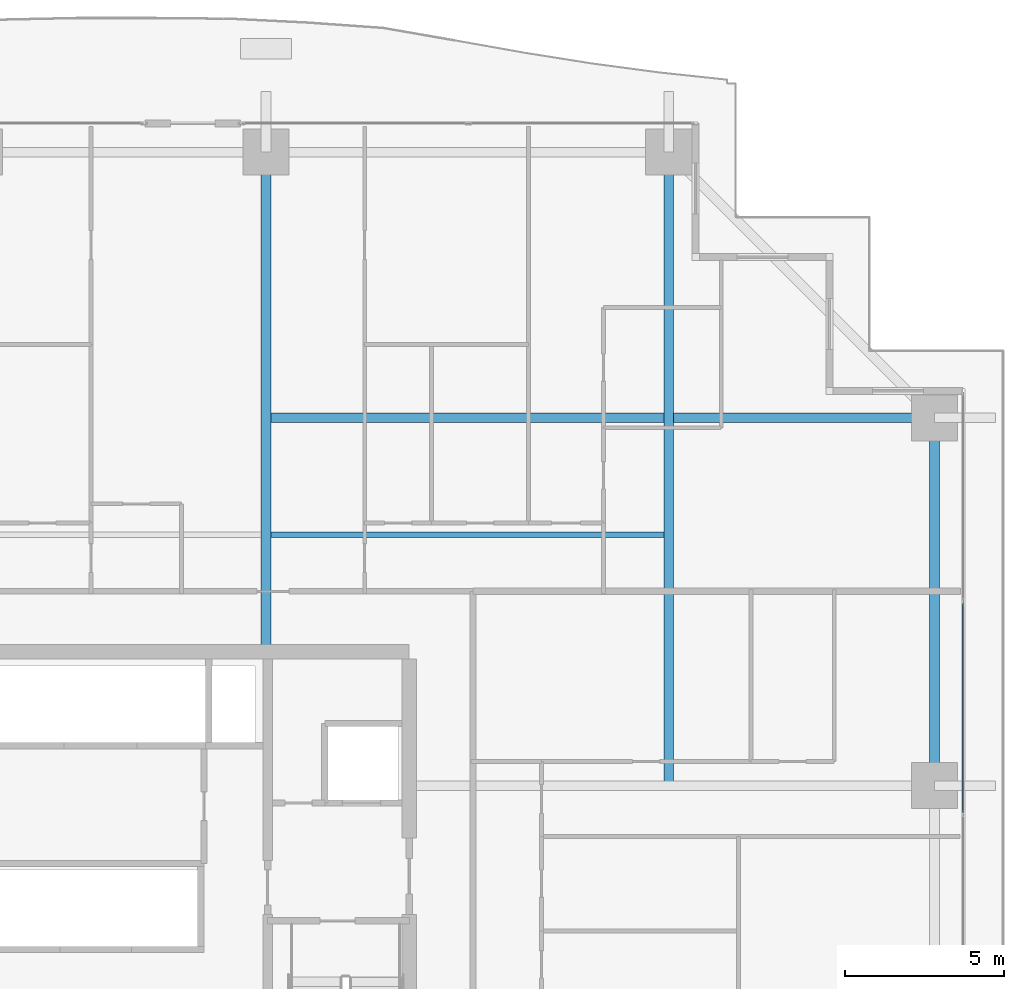
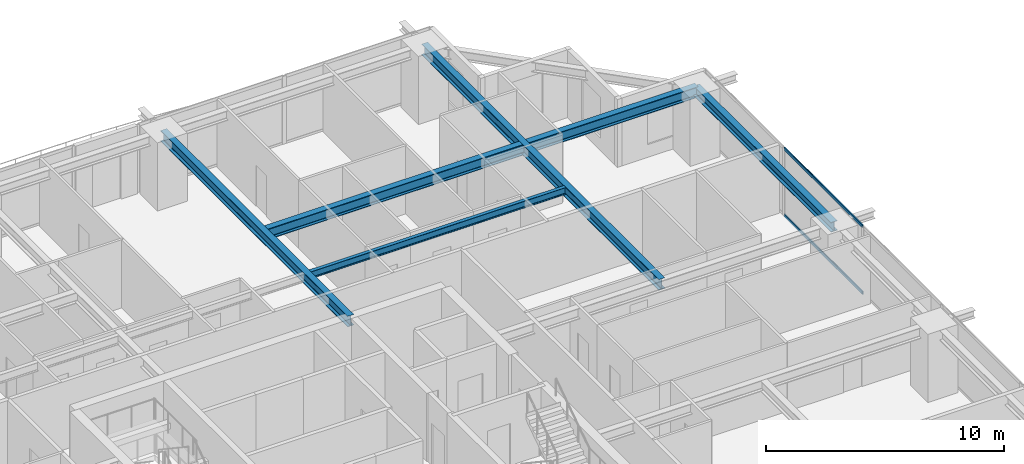
# One storey, part 19 of 36: 5 beams, 2 members, 1 element without a shape of its own.
"""IFC4 building model written with IfcOpenShell, lengths in metres."""

from ifc_helpers import new_model, si_unit, direction, frame, origin, origin_2d, place, context, subcontext, project, spatial, hollow_rectangle, i_section, extrude, source, transform, mapped, material, layer, layer_set, material_profile, profile_set, type_object, element, aggregate, save


model = new_model("IFC4")

# Units and contexts
model_context = context("Model", 3, precision=1e-05, world=origin(), true_north=direction((0.0, 1.0)))
body_context = subcontext(model_context, "Body", "Model", "MODEL_VIEW")
ifc_project = project(units=[si_unit("LENGTHUNIT", "METRE"), si_unit("AREAUNIT", "SQUARE_METRE"), si_unit("VOLUMEUNIT", "CUBIC_METRE"), si_unit("PLANEANGLEUNIT", "RADIAN"), si_unit("MASSUNIT", "GRAM", prefix="KILO")], contexts=[model_context])

# Site, building, storey
site_placement = place(None, origin())
site = spatial("IfcSite", under=ifc_project, at=site_placement, CompositionType="ELEMENT")
building_placement = place(site_placement, origin())
building = spatial("IfcBuilding", under=site, at=building_placement, Name="Serunith Strait Residences", CompositionType="ELEMENT")
storey_placement = place(building_placement, frame((0.0, 0.0, 86.699951171875)))
storey = spatial("IfcBuildingStorey", under=building, at=storey_placement, Name="L21", CompositionType="ELEMENT", Elevation=86.699951171875)

# Beams
ifc_material_1 = material(Name="Steel S355J2", Category="steel")
ifc_material_profile_1 = material_profile(ifc_material_1, i_section(OverallWidth=0.300048828125, OverallDepth=0.550048828125, WebThickness=0.014892578125, FlangeThickness=0.029052734375, FilletRadius=0.027099609375, at=origin_2d()), Name="HEB 550")
ifc_profile_set_1 = profile_set([ifc_material_profile_1], Name="Steel S355J2")
beam_type_1 = type_object("IfcBeamType", Name="BM-HEB550", PredefinedType="BEAM", material=ifc_profile_set_1)
shared_shape_1 = source(origin(), body_context, "Body", "SweptSolid", [
    extrude(i_section(OverallWidth=0.300048828125, OverallDepth=0.550048828125, WebThickness=0.014892578125, FlangeThickness=0.029052734375, FilletRadius=0.027099609375, at=origin_2d()), origin(), (0.0, 0.0, 1.0), 15.699951171875),
])
beam_1_placement = place(storey_placement, frame((36.89990234375, 33.60009765625, 3.212158203125), z_axis=(0.0, 1.0, 0.0), x_axis=(-1.0, 0.0, 0.0)))
element("IfcBeam", 1, at=beam_1_placement, inside=storey, type_object=beam_type_1, Name="L21 Primary Floor Girder TC-N3", PredefinedType="BEAM", context=body_context, shape_type="MappedRepresentation", body=[
    mapped(shared_shape_1, transform((0.0, 0.0, 0.0), scale=1.0)),
])
shared_shape_2 = source(origin(), body_context, "Body", "SweptSolid", [
    extrude(i_section(OverallWidth=0.300048828125, OverallDepth=0.550048828125, WebThickness=0.014892578125, FlangeThickness=0.029052734375, FilletRadius=0.027099609375, at=origin_2d()), origin(), (0.0, 0.0, 1.0), 19.900146484375),
])
beam_2_placement = place(storey_placement, frame((49.550048828125, 29.39990234375, 3.212158203125), z_axis=(0.0, 1.0, 0.0), x_axis=(-1.0, 0.0, 0.0)))
element("IfcBeam", 2, at=beam_2_placement, inside=storey, type_object=beam_type_1, Name="L21 Orthogonal Corner Girder TC-N4", PredefinedType="BEAM", context=body_context, shape_type="MappedRepresentation", body=[
    mapped(shared_shape_2, transform((0.0, 0.0, 0.0), scale=1.0)),
])
shared_shape_3 = source(origin(), body_context, "Body", "SweptSolid", [
    extrude(i_section(OverallWidth=0.300048828125, OverallDepth=0.550048828125, WebThickness=0.014892578125, FlangeThickness=0.029052734375, FilletRadius=0.027099609375, at=origin_2d()), origin(), (0.0, 0.0, 1.0), 21.0),
])
beam_3_placement = place(storey_placement, frame((36.89990234375, 40.949951171875, 3.212158203125), z_axis=(1.0, 0.0, 0.0), x_axis=(0.0, 1.0, 0.0)))
element("IfcBeam", 3, at=beam_3_placement, inside=storey, type_object=beam_type_1, Name="L21 Orthogonal Corner Girder TC-E4", PredefinedType="BEAM", context=body_context, shape_type="MappedRepresentation", body=[
    mapped(shared_shape_3, transform((0.0, 0.0, 0.0), scale=1.0)),
])
ifc_material_profile_2 = material_profile(ifc_material_1, i_section(OverallWidth=0.300048828125, OverallDepth=0.5, WebThickness=0.014404296875, FlangeThickness=0.028076171875, FilletRadius=0.027099609375, at=origin_2d()), Name="HEB 500")
ifc_profile_set_2 = profile_set([ifc_material_profile_2], Name="Steel S355J2")
beam_type_2 = type_object("IfcBeamType", Name="BM-HEB500", PredefinedType="BEAM", material=ifc_profile_set_2)
shared_shape_4 = source(origin(), body_context, "Body", "SweptSolid", [
    extrude(i_section(OverallWidth=0.300048828125, OverallDepth=0.5, WebThickness=0.014404296875, FlangeThickness=0.028076171875, FilletRadius=0.027099609375, at=origin_2d()), origin(), (0.0, 0.0, 1.0), 11.550048828125),
])
beam_4_placement = place(storey_placement, frame((57.89990234375, 29.39990234375, 3.237060546875), z_axis=(0.0, 1.0, 0.0), x_axis=(-1.0, 0.0, 0.0)))
element("IfcBeam", 4, at=beam_4_placement, inside=storey, type_object=beam_type_2, Name="L21 Perimeter Ring Beam 07", PredefinedType="BEAM", context=body_context, shape_type="MappedRepresentation", body=[
    mapped(shared_shape_4, transform((0.0, 0.0, 0.0), scale=1.0)),
])
ifc_material_profile_3 = material_profile(ifc_material_1, i_section(OverallWidth=0.169921875, OverallDepth=0.360107421875, WebThickness=0.008056640625, FlangeThickness=0.0126953125, FilletRadius=0.01806640625, at=origin_2d()), Name="IPE 360")
ifc_profile_set_3 = profile_set([ifc_material_profile_3], Name="Steel S355J2")
beam_type_3 = type_object("IfcBeamType", Name="BM-IPE360", PredefinedType="JOIST", material=ifc_profile_set_3)
shared_shape_5 = source(origin(), body_context, "Body", "SweptSolid", [
    extrude(i_section(OverallWidth=0.169921875, OverallDepth=0.360107421875, WebThickness=0.008056640625, FlangeThickness=0.0126953125, FilletRadius=0.01806640625, at=origin_2d()), origin(), (0.0, 0.0, 1.0), 12.349853515625),
])
beam_5_placement = place(storey_placement, frame((37.050048828125, 37.27490234375, 3.30712890625), z_axis=(1.0, 0.0, 0.0), x_axis=(0.0, 1.0, 0.0)))
element("IfcBeam", 5, at=beam_5_placement, inside=storey, type_object=beam_type_3, Name="L21 Composite Floor Joist 06", PredefinedType="JOIST", context=body_context, shape_type="MappedRepresentation", body=[
    mapped(shared_shape_5, transform((0.0, 0.0, 0.0), scale=1.0)),
])

# Curtain wall, members
ifc_material_2 = material(Name="Pale-Champagne Anodised Aluminium", Category="aluminium")
ifc_layer = layer(ifc_material_2, 0.199951171875, Name="Pale-Champagne Anodised Aluminium")
ifc_layer_set = layer_set([ifc_layer], Name="Pale-Champagne Anodised Aluminium")
curtain_wall_type = type_object("IfcCurtainWallType", Name="CW-SYS1", PredefinedType="NOTDEFINED", material=ifc_layer_set)
curtain_wall_placement = place(storey_placement, origin())
curtain_wall = element("IfcCurtainWall", 6, at=curtain_wall_placement, inside=storey, type_object=curtain_wall_type, Name="L21 E Unitised Fritted Curtain Wall", PredefinedType="NOTDEFINED")
ifc_material_profile_4 = material_profile(ifc_material_2, hollow_rectangle(XDim=0.06005859375, YDim=0.159912109375, WallThickness=0.00341796875, InnerFilletRadius=0.00537109375, OuterFilletRadius=0.0087890625, at=origin_2d()), Name="ALU 160x60x3.5")
ifc_profile_set_4 = profile_set([ifc_material_profile_4], Name="Pale-Champagne Anodised Aluminium")
member_type = type_object("IfcMemberType", Name="CW-SYS1-TRAN", PredefinedType="USERDEFINED", material=ifc_profile_set_4)
shared_shape_6 = source(origin(), body_context, "Body", "SweptSolid", [
    extrude(hollow_rectangle(XDim=0.06005859375, YDim=0.159912109375, WallThickness=0.00341796875, InnerFilletRadius=0.00537109375, OuterFilletRadius=0.0087890625, at=origin_2d()), origin(), (0.0, 0.0, 1.0), 6.570068359375),
])
member_1_placement = place(storey_placement, frame((58.800048828125, 28.554931640625, 0.030029296875), z_axis=(0.0, 1.0, 0.0), x_axis=(-1.0, 0.0, 0.0)))
member_1 = element("IfcMember", 7, at=member_1_placement, type_object=member_type, Name="CW-1 transom 4.1", ObjectType="TRANSOM", PredefinedType="USERDEFINED", context=body_context, shape_type="MappedRepresentation", body=[
    mapped(shared_shape_6, transform((0.0, 0.0, 0.0), scale=1.0)),
])
member_2_placement = place(storey_placement, frame((58.800048828125, 28.554931640625, 3.445068359375), z_axis=(0.0, 1.0, 0.0), x_axis=(-1.0, 0.0, 0.0)))
member_2 = element("IfcMember", 8, at=member_2_placement, type_object=member_type, Name="CW-1 transom 4.2", ObjectType="TRANSOM", PredefinedType="USERDEFINED", context=body_context, shape_type="MappedRepresentation", body=[
    mapped(shared_shape_6, transform((0.0, 0.0, 0.0), scale=1.0)),
])
aggregate(curtain_wall, [member_1, member_2])

save(model, "model.ifc")
